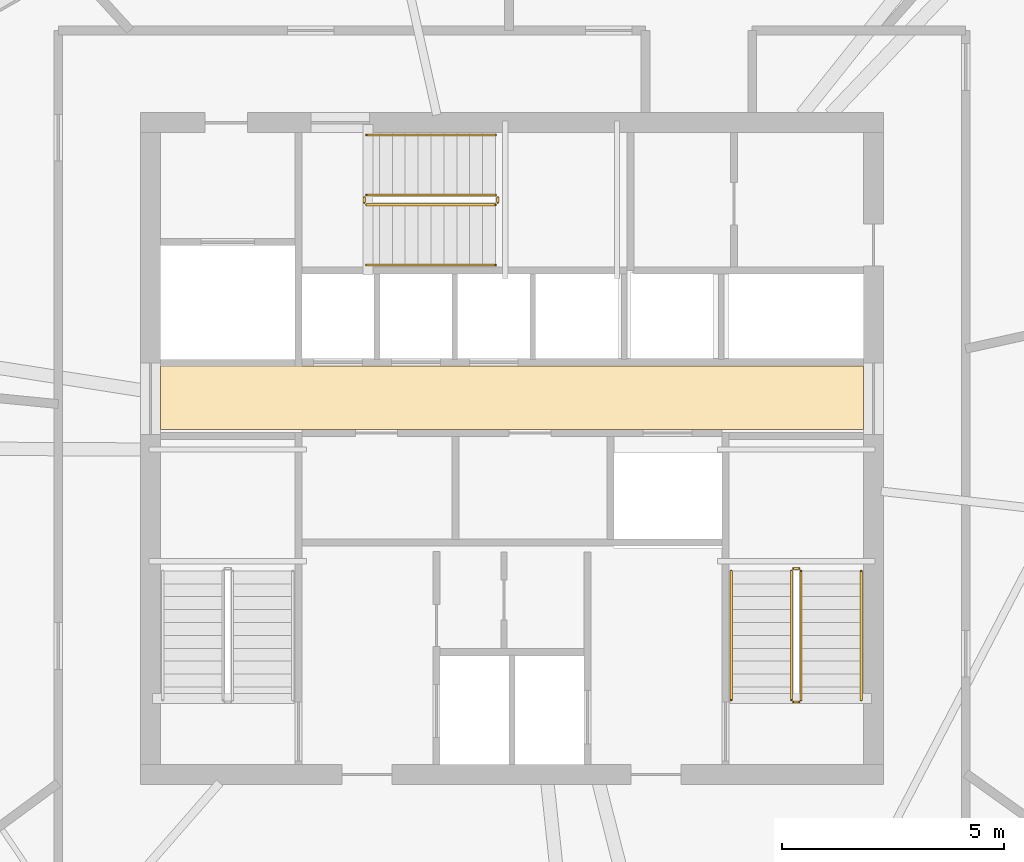
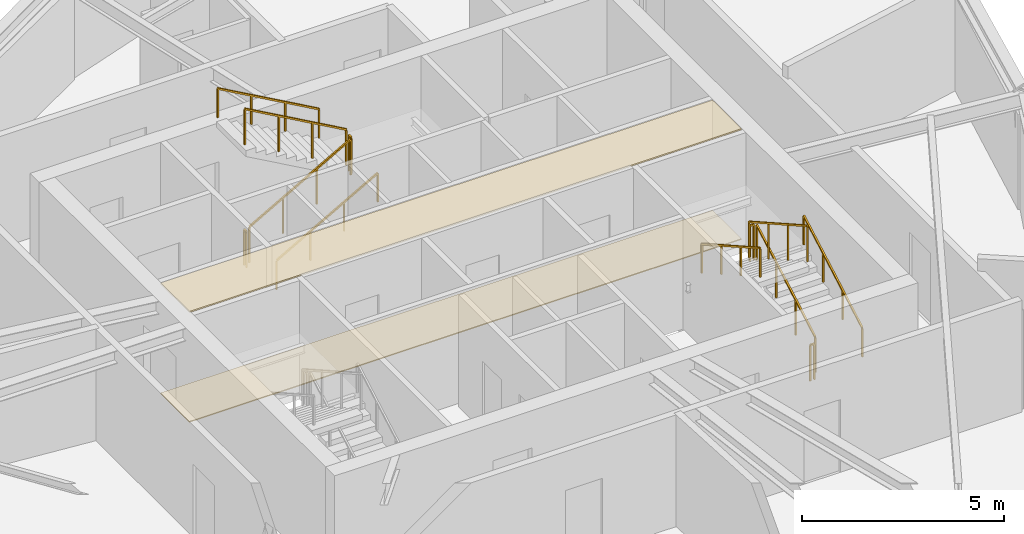
# One storey, part 13 of 14: 12 railings, 2 coverings.
"""IFC4 building model written with IfcOpenShell, lengths in metres."""

from ifc_helpers import new_model, si_unit, direction, frame, origin, origin_2d, place, context, subcontext, project, spatial, polyline, rectangle, outline, extrude, material, layer, layer_set, type_object, element, save


model = new_model("IFC4")

# Units and contexts
model_context = context("Model", 3, precision=1e-05, world=origin(), true_north=direction((0.0, 1.0)))
body_context = subcontext(model_context, "Body", "Model", "MODEL_VIEW")
ifc_project = project(units=[si_unit("LENGTHUNIT", "METRE"), si_unit("AREAUNIT", "SQUARE_METRE"), si_unit("VOLUMEUNIT", "CUBIC_METRE"), si_unit("PLANEANGLEUNIT", "RADIAN"), si_unit("MASSUNIT", "GRAM", prefix="KILO")], contexts=[model_context])

# Site, building, storey
site_placement = place(None, origin())
site = spatial("IfcSite", under=ifc_project, at=site_placement, CompositionType="ELEMENT")
building_placement = place(site_placement, origin())
building = spatial("IfcBuilding", under=site, at=building_placement, Name="Olszyna Solenne Hotel", CompositionType="ELEMENT")
storey_placement = place(building_placement, frame((0.0, 0.0, 230.89990234375)))
storey = spatial("IfcBuildingStorey", under=building, at=storey_placement, Name="L61", CompositionType="ELEMENT", Elevation=230.89990234375)

# Coverings
ifc_material_1 = material(Name="Mineral wool acoustic ceiling")
ifc_layer_1 = layer(ifc_material_1, 0.0400390625, Name="Mineral wool acoustic ceiling")
ifc_layer_set_1 = layer_set([ifc_layer_1], Name="Mineral wool acoustic ceiling")
covering_type_1 = type_object("IfcCoveringType", Name="CL-AC1", PredefinedType="CEILING", material=ifc_layer_set_1)
covering_1_placement = place(storey_placement, frame((0.0, 0.0, 3.320068359375)))
element("IfcCovering", 1, at=covering_1_placement, inside=storey, type_object=covering_type_1, Name="Lift lobby acoustic tile ceiling CL-L61-01", PredefinedType="CEILING", context=body_context, shape_type="SweptSolid", body=[
    extrude(outline(polyline([(30.10009765625, 27.030029296875), (45.89990234375, 27.030029296875), (45.89990234375, 28.4599609375), (30.10009765625, 28.4599609375), (30.10009765625, 27.030029296875)])), origin(), (0.0, 0.0, 1.0), 0.0400390625),
])
ifc_material_2 = material(Name="Ceramic floor tile")
ifc_layer_2 = layer(ifc_material_2, 0.030029296875, Name="Ceramic floor tile")
ifc_layer_set_2 = layer_set([ifc_layer_2], Name="Ceramic floor tile")
covering_type_2 = type_object("IfcCoveringType", Name="FL-TL1", PredefinedType="FLOORING", material=ifc_layer_set_2)
covering_2_placement = place(storey_placement, origin())
element("IfcCovering", 2, at=covering_2_placement, inside=storey, type_object=covering_type_2, Name="Lift lobby stoneware floor finish FLR-L61-01", PredefinedType="FLOORING", context=body_context, shape_type="SweptSolid", body=[
    extrude(outline(polyline([(30.10009765625, 27.030029296875), (45.89990234375, 27.030029296875), (45.89990234375, 28.4599609375), (30.10009765625, 28.4599609375), (30.10009765625, 27.030029296875)])), origin(), (0.0, 0.0, 1.0), 0.030029296875),
])

# Railings
ifc_material_3 = material(Name="Anodised bronze aluminium", Category="aluminium")
railing_type_1 = type_object("IfcRailingType", Name="GR-110", PredefinedType="BALUSTRADE", material=ifc_material_3)
railing_1_placement = place(storey_placement, frame((44.5, 20.949951171875, 0.163818359375)))
element("IfcRailing", 3, at=railing_1_placement, inside=storey, type_object=railing_type_1, Name="L61 ST2 stair guard 1", PredefinedType="BALUSTRADE", context=body_context, shape_type="SweptSolid", body=[
    extrude(rectangle(XDim=0.048095703125, YDim=0.048095703125, at=origin_2d()), frame((0.0, 0.0, 1.076171875), z_axis=(0.0, 0.870946286338, 0.49137823142), x_axis=(-1.0, 0.0, 0.0)), (0.0, 0.0, 1.0), 3.329833984375),
    extrude(rectangle(XDim=0.0419921875, YDim=0.0419921875, at=origin_2d()), origin(), (0.0, 0.0, 1.0), 1.052001953125),
    extrude(rectangle(XDim=0.0419921875, YDim=0.0419921875, at=origin_2d()), frame((0.0, 0.966796875, 0.54541015625)), (0.0, 0.0, 1.0), 1.052001953125),
    extrude(rectangle(XDim=0.0419921875, YDim=0.0419921875, at=origin_2d()), frame((0.0, 1.933349609375, 1.0908203125)), (0.0, 0.0, 1.0), 1.052001953125),
    extrude(rectangle(XDim=0.0419921875, YDim=0.0419921875, at=origin_2d()), frame((0.0, 2.900146484375, 1.63623046875)), (0.0, 0.0, 1.0), 1.052001953125),
])
railing_2_placement = place(storey_placement, frame((44.449951171875, 23.89990234375, 1.800048828125)))
element("IfcRailing", 4, at=railing_2_placement, inside=storey, type_object=railing_type_1, Name="L61 ST2 stair guard 2", PredefinedType="BALUSTRADE", context=body_context, shape_type="SweptSolid", body=[
    extrude(rectangle(XDim=0.048095703125, YDim=0.048095703125, at=origin_2d()), frame((0.0, 0.0, 1.076171875), z_axis=(-1.0, 0.0, 0.0), x_axis=(0.0, -1.0, 0.0)), (0.0, 0.0, 1.0), 0.119873046875),
    extrude(rectangle(XDim=0.0419921875, YDim=0.0419921875, at=origin_2d()), origin(), (0.0, 0.0, 1.0), 1.052001953125),
    extrude(rectangle(XDim=0.0419921875, YDim=0.0419921875, at=origin_2d()), frame((-0.119873046875, 0.0, 0.0)), (0.0, 0.0, 1.0), 1.052001953125),
])
railing_3_placement = place(storey_placement, frame((44.280029296875, 23.85009765625, 1.963623046875)))
element("IfcRailing", 5, at=railing_3_placement, inside=storey, type_object=railing_type_1, Name="L61 ST2 stair guard 3", PredefinedType="BALUSTRADE", context=body_context, shape_type="SweptSolid", body=[
    extrude(rectangle(XDim=0.048095703125, YDim=0.048095703125, at=origin_2d()), frame((0.0, 0.0, 1.076171875), z_axis=(0.0, -0.870914908162, 0.491433843708), x_axis=(1.0, 0.0, 0.0)), (0.0, 0.0, 1.0), 3.330078125),
    extrude(rectangle(XDim=0.0419921875, YDim=0.0419921875, at=origin_2d()), origin(), (0.0, 0.0, 1.0), 1.052001953125),
    extrude(rectangle(XDim=0.0419921875, YDim=0.0419921875, at=origin_2d()), frame((0.0, -0.966796875, 0.54541015625)), (0.0, 0.0, 1.0), 1.052001953125),
    extrude(rectangle(XDim=0.0419921875, YDim=0.0419921875, at=origin_2d()), frame((0.0, -1.933349609375, 1.091064453125)), (0.0, 0.0, 1.0), 1.052001953125),
    extrude(rectangle(XDim=0.0419921875, YDim=0.0419921875, at=origin_2d()), frame((0.0, -2.900146484375, 1.636474609375)), (0.0, 0.0, 1.0), 1.052001953125),
])
railing_4_placement = place(storey_placement, frame((44.449951171875, 20.89990234375, 0.0)))
element("IfcRailing", 6, at=railing_4_placement, inside=storey, type_object=railing_type_1, Name="L61 ST2 stair guard 4", PredefinedType="BALUSTRADE", context=body_context, shape_type="SweptSolid", body=[
    extrude(rectangle(XDim=0.048095703125, YDim=0.048095703125, at=origin_2d()), frame((0.0, 0.0, 1.076171875), z_axis=(-1.0, 0.0, 0.0), x_axis=(0.0, -1.0, 0.0)), (0.0, 0.0, 1.0), 0.119873046875),
    extrude(rectangle(XDim=0.0419921875, YDim=0.0419921875, at=origin_2d()), origin(), (0.0, 0.0, 1.0), 1.052001953125),
    extrude(rectangle(XDim=0.0419921875, YDim=0.0419921875, at=origin_2d()), frame((-0.119873046875, 0.0, 0.0)), (0.0, 0.0, 1.0), 1.052001953125),
])
railing_5_placement = place(storey_placement, frame((34.72998046875, 32.080078125, 0.163818359375)))
element("IfcRailing", 7, at=railing_5_placement, inside=storey, type_object=railing_type_1, Name="L61 ST3 stair guard 1", PredefinedType="BALUSTRADE", context=body_context, shape_type="SweptSolid", body=[
    extrude(rectangle(XDim=0.048095703125, YDim=0.048095703125, at=origin_2d()), frame((0.0, 0.0, 1.076171875), z_axis=(0.870928581787, 0.0, 0.491409610636), x_axis=(0.0, 1.0, 0.0)), (0.0, 0.0, 1.0), 3.32958984375),
    extrude(rectangle(XDim=0.0419921875, YDim=0.0419921875, at=origin_2d()), origin(), (0.0, 0.0, 1.0), 1.052001953125),
    extrude(rectangle(XDim=0.0419921875, YDim=0.0419921875, at=origin_2d()), frame((0.966552734375, 0.0, 0.54541015625)), (0.0, 0.0, 1.0), 1.052001953125),
    extrude(rectangle(XDim=0.0419921875, YDim=0.0419921875, at=origin_2d()), frame((1.933349609375, 0.0, 1.0908203125)), (0.0, 0.0, 1.0), 1.052001953125),
    extrude(rectangle(XDim=0.0419921875, YDim=0.0419921875, at=origin_2d()), frame((2.89990234375, 0.0, 1.63623046875)), (0.0, 0.0, 1.0), 1.052001953125),
])
railing_6_placement = place(storey_placement, frame((37.679931640625, 32.1298828125, 1.800048828125)))
element("IfcRailing", 8, at=railing_6_placement, inside=storey, type_object=railing_type_1, Name="L61 ST3 stair guard 2", PredefinedType="BALUSTRADE", context=body_context, shape_type="SweptSolid", body=[
    extrude(rectangle(XDim=0.048095703125, YDim=0.048095703125, at=origin_2d()), frame((0.0, 0.0, 1.076171875), z_axis=(0.0, 1.0, 0.0), x_axis=(-1.0, 0.0, 0.0)), (0.0, 0.0, 1.0), 0.1201171875),
    extrude(rectangle(XDim=0.0419921875, YDim=0.0419921875, at=origin_2d()), origin(), (0.0, 0.0, 1.0), 1.052001953125),
    extrude(rectangle(XDim=0.0419921875, YDim=0.0419921875, at=origin_2d()), frame((0.0, 0.1201171875, 0.0)), (0.0, 0.0, 1.0), 1.052001953125),
])
railing_7_placement = place(storey_placement, frame((37.6298828125, 32.300048828125, 1.963623046875)))
element("IfcRailing", 9, at=railing_7_placement, inside=storey, type_object=railing_type_1, Name="L61 ST3 stair guard 3", PredefinedType="BALUSTRADE", context=body_context, shape_type="SweptSolid", body=[
    extrude(rectangle(XDim=0.048095703125, YDim=0.048095703125, at=origin_2d()), frame((0.0, 0.0, 1.076171875), z_axis=(-0.870897200241, 0.0, 0.491465224214), x_axis=(0.0, -1.0, 0.0)), (0.0, 0.0, 1.0), 3.329833984375),
    extrude(rectangle(XDim=0.0419921875, YDim=0.0419921875, at=origin_2d()), origin(), (0.0, 0.0, 1.0), 1.052001953125),
    extrude(rectangle(XDim=0.0419921875, YDim=0.0419921875, at=origin_2d()), frame((-0.966552734375, 0.0, 0.54541015625)), (0.0, 0.0, 1.0), 1.052001953125),
    extrude(rectangle(XDim=0.0419921875, YDim=0.0419921875, at=origin_2d()), frame((-1.933349609375, 0.0, 1.091064453125)), (0.0, 0.0, 1.0), 1.052001953125),
    extrude(rectangle(XDim=0.0419921875, YDim=0.0419921875, at=origin_2d()), frame((-2.89990234375, 0.0, 1.636474609375)), (0.0, 0.0, 1.0), 1.052001953125),
])
railing_8_placement = place(storey_placement, frame((34.679931640625, 32.1298828125, 0.0)))
element("IfcRailing", 10, at=railing_8_placement, inside=storey, type_object=railing_type_1, Name="L61 ST3 stair guard 4", PredefinedType="BALUSTRADE", context=body_context, shape_type="SweptSolid", body=[
    extrude(rectangle(XDim=0.048095703125, YDim=0.048095703125, at=origin_2d()), frame((0.0, 0.0, 1.076171875), z_axis=(0.0, 1.0, 0.0), x_axis=(-1.0, 0.0, 0.0)), (0.0, 0.0, 1.0), 0.1201171875),
    extrude(rectangle(XDim=0.0419921875, YDim=0.0419921875, at=origin_2d()), origin(), (0.0, 0.0, 1.0), 1.052001953125),
    extrude(rectangle(XDim=0.0419921875, YDim=0.0419921875, at=origin_2d()), frame((0.0, 0.1201171875, 0.0)), (0.0, 0.0, 1.0), 1.052001953125),
])
ifc_material_4 = material(Name="Steel S355J2", Category="steel")
railing_type_2 = type_object("IfcRailingType", Name="HR-090", PredefinedType="HANDRAIL", material=ifc_material_4)
railing_9_placement = place(storey_placement, frame((45.85009765625, 20.949951171875, 0.163818359375)))
element("IfcRailing", 11, at=railing_9_placement, inside=storey, type_object=railing_type_2, Name="L61 ST2 stair handrail 1", PredefinedType="HANDRAIL", context=body_context, shape_type="SweptSolid", body=[
    extrude(rectangle(XDim=0.048095703125, YDim=0.048095703125, at=origin_2d()), frame((0.0, 0.0, 0.8759765625), z_axis=(0.0, 0.870946286338, 0.49137823142), x_axis=(-1.0, 0.0, 0.0)), (0.0, 0.0, 1.0), 3.329833984375),
    extrude(rectangle(XDim=0.0419921875, YDim=0.0419921875, at=origin_2d()), origin(), (0.0, 0.0, 1.0), 0.851806640625),
    extrude(rectangle(XDim=0.0419921875, YDim=0.0419921875, at=origin_2d()), frame((0.0, 0.966796875, 0.54541015625)), (0.0, 0.0, 1.0), 0.851806640625),
    extrude(rectangle(XDim=0.0419921875, YDim=0.0419921875, at=origin_2d()), frame((0.0, 1.933349609375, 1.0908203125)), (0.0, 0.0, 1.0), 0.851806640625),
    extrude(rectangle(XDim=0.0419921875, YDim=0.0419921875, at=origin_2d()), frame((0.0, 2.900146484375, 1.63623046875)), (0.0, 0.0, 1.0), 0.851806640625),
])
railing_10_placement = place(storey_placement, frame((42.929931640625, 23.85009765625, 1.963623046875)))
element("IfcRailing", 12, at=railing_10_placement, inside=storey, type_object=railing_type_2, Name="L61 ST2 stair handrail 2", PredefinedType="HANDRAIL", context=body_context, shape_type="SweptSolid", body=[
    extrude(rectangle(XDim=0.048095703125, YDim=0.048095703125, at=origin_2d()), frame((0.0, 0.0, 0.8759765625), z_axis=(0.0, -0.870914908162, 0.491433843708), x_axis=(1.0, 0.0, 0.0)), (0.0, 0.0, 1.0), 3.330078125),
    extrude(rectangle(XDim=0.0419921875, YDim=0.0419921875, at=origin_2d()), origin(), (0.0, 0.0, 1.0), 0.851806640625),
    extrude(rectangle(XDim=0.0419921875, YDim=0.0419921875, at=origin_2d()), frame((0.0, -0.966796875, 0.54541015625)), (0.0, 0.0, 1.0), 0.851806640625),
    extrude(rectangle(XDim=0.0419921875, YDim=0.0419921875, at=origin_2d()), frame((0.0, -1.933349609375, 1.091064453125)), (0.0, 0.0, 1.0), 0.851806640625),
    extrude(rectangle(XDim=0.0419921875, YDim=0.0419921875, at=origin_2d()), frame((0.0, -2.900146484375, 1.636474609375)), (0.0, 0.0, 1.0), 0.851806640625),
])
railing_11_placement = place(storey_placement, frame((34.72998046875, 30.72998046875, 0.163818359375)))
element("IfcRailing", 13, at=railing_11_placement, inside=storey, type_object=railing_type_2, Name="L61 ST3 stair handrail 1", PredefinedType="HANDRAIL", context=body_context, shape_type="SweptSolid", body=[
    extrude(rectangle(XDim=0.048095703125, YDim=0.048095703125, at=origin_2d()), frame((0.0, 0.0, 0.8759765625), z_axis=(0.870928581787, 0.0, 0.491409610636), x_axis=(0.0, 1.0, 0.0)), (0.0, 0.0, 1.0), 3.32958984375),
    extrude(rectangle(XDim=0.0419921875, YDim=0.0419921875, at=origin_2d()), origin(), (0.0, 0.0, 1.0), 0.851806640625),
    extrude(rectangle(XDim=0.0419921875, YDim=0.0419921875, at=origin_2d()), frame((0.966552734375, 0.0, 0.54541015625)), (0.0, 0.0, 1.0), 0.851806640625),
    extrude(rectangle(XDim=0.0419921875, YDim=0.0419921875, at=origin_2d()), frame((1.933349609375, 0.0, 1.0908203125)), (0.0, 0.0, 1.0), 0.851806640625),
    extrude(rectangle(XDim=0.0419921875, YDim=0.0419921875, at=origin_2d()), frame((2.89990234375, 0.0, 1.63623046875)), (0.0, 0.0, 1.0), 0.851806640625),
])
railing_12_placement = place(storey_placement, frame((37.6298828125, 33.64990234375, 1.963623046875)))
element("IfcRailing", 14, at=railing_12_placement, inside=storey, type_object=railing_type_2, Name="L61 ST3 stair handrail 2", PredefinedType="HANDRAIL", context=body_context, shape_type="SweptSolid", body=[
    extrude(rectangle(XDim=0.048095703125, YDim=0.048095703125, at=origin_2d()), frame((0.0, 0.0, 0.8759765625), z_axis=(-0.870897200241, 0.0, 0.491465224214), x_axis=(0.0, -1.0, 0.0)), (0.0, 0.0, 1.0), 3.329833984375),
    extrude(rectangle(XDim=0.0419921875, YDim=0.0419921875, at=origin_2d()), origin(), (0.0, 0.0, 1.0), 0.851806640625),
    extrude(rectangle(XDim=0.0419921875, YDim=0.0419921875, at=origin_2d()), frame((-0.966552734375, 0.0, 0.54541015625)), (0.0, 0.0, 1.0), 0.851806640625),
    extrude(rectangle(XDim=0.0419921875, YDim=0.0419921875, at=origin_2d()), frame((-1.933349609375, 0.0, 1.091064453125)), (0.0, 0.0, 1.0), 0.851806640625),
    extrude(rectangle(XDim=0.0419921875, YDim=0.0419921875, at=origin_2d()), frame((-2.89990234375, 0.0, 1.636474609375)), (0.0, 0.0, 1.0), 0.851806640625),
])

save(model, "model.ifc")
